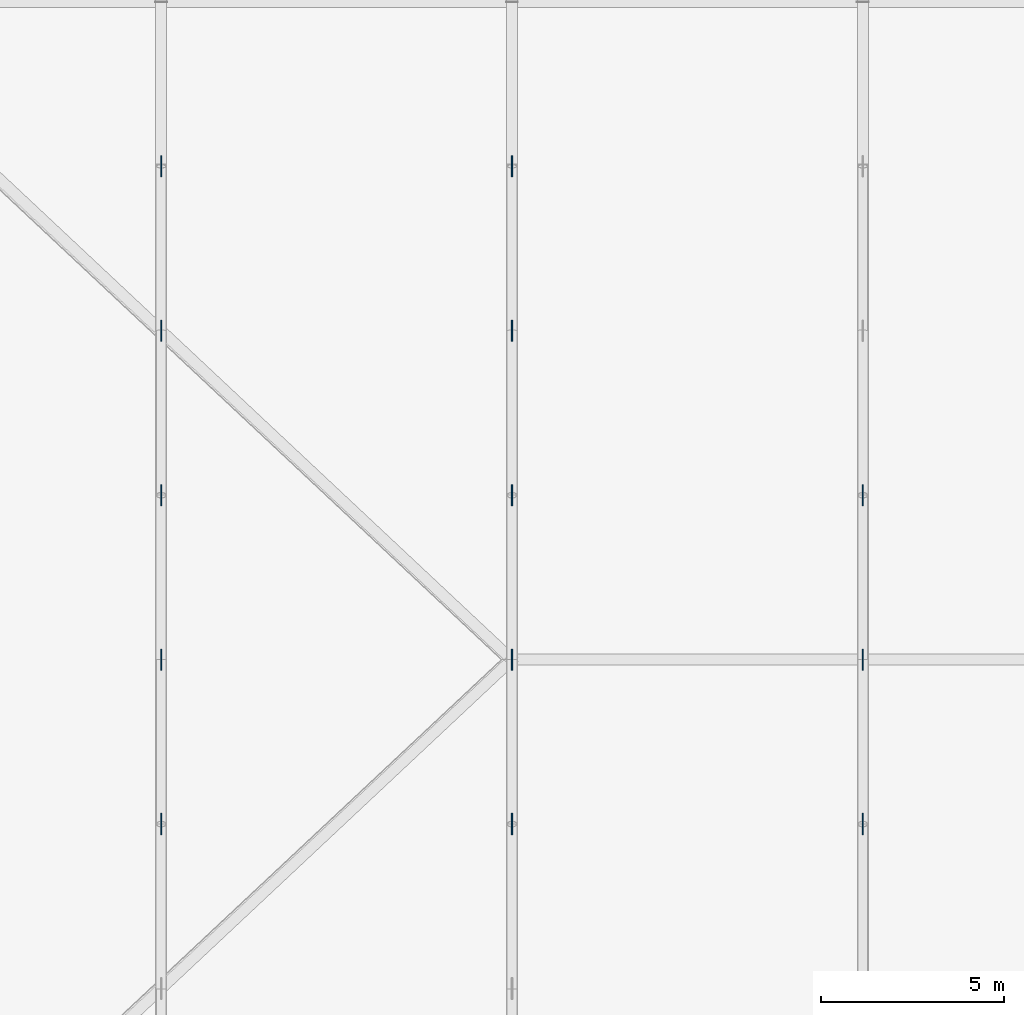
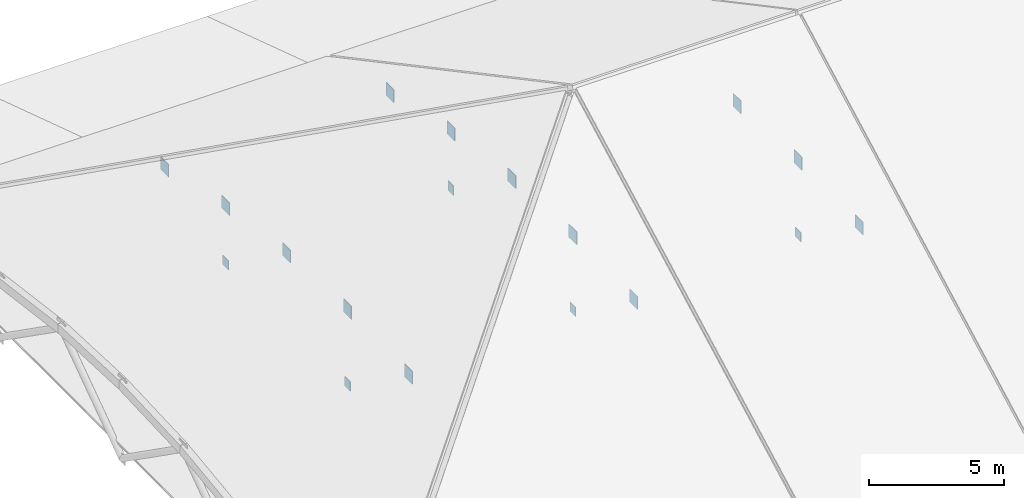
# One storey, part 10 of 16: 18 plates.
"""IFC4 building model written with IfcOpenShell, lengths in metres."""

from ifc_helpers import new_model, si_unit, direction, frame, origin, origin_2d, place, context, subcontext, project, spatial, rectangle, extrude, material, layer, layer_set, type_object, element, save


model = new_model("IFC4")

# Units and contexts
model_context = context("Model", 3, precision=1e-05, world=origin(), true_north=direction((0.0, 1.0)))
body_context = subcontext(model_context, "Body", "Model", "MODEL_VIEW")
ifc_project = project(units=[si_unit("LENGTHUNIT", "METRE"), si_unit("AREAUNIT", "SQUARE_METRE"), si_unit("VOLUMEUNIT", "CUBIC_METRE"), si_unit("PLANEANGLEUNIT", "RADIAN"), si_unit("MASSUNIT", "GRAM", prefix="KILO")], contexts=[model_context])

# Site, building, storey
site_placement = place(None, origin())
site = spatial("IfcSite", under=ifc_project, at=site_placement, CompositionType="ELEMENT")
building_placement = place(site_placement, origin())
building = spatial("IfcBuilding", under=site, at=building_placement, Name="Zarnetskaya Central Station", CompositionType="ELEMENT")
storey_placement = place(building_placement, frame((0.0, 0.0, 27.0)))
storey = spatial("IfcBuildingStorey", under=building, at=storey_placement, Name="RF", CompositionType="ELEMENT", Elevation=27.0)

# Plates
ifc_material = material(Name="Steel S355", Category="steel")
ifc_layer_1 = layer(ifc_material, 0.028076171875, Name="Steel S355", Category="steel")
ifc_layer_set_1 = layer_set([ifc_layer_1], Name="Steel S355")
plate_type_1 = type_object("IfcPlateType", Name="ND-GUSSET-28", PredefinedType="USERDEFINED", material=ifc_layer_set_1)
for number, where, z_axis, x_axis, name in (
    (1, (67.199951171875, 35.699951171875, -10.17041015625), (0.0, 0.0, 1.0), (1.0, 0.0, 0.0), "ROOF TRUSS RT-02 gusset node plate 3"),
    (2, (67.199951171875, 44.699951171875, -10.17041015625), (0.0, 0.0, 1.0), (1.0, 0.0, 0.0), "ROOF TRUSS RT-02 gusset node plate 5"),
    (3, (67.199951171875, 49.199951171875, -10.760009765625), (0.0, 0.0, 1.0), (1.0, 0.0, 0.0), "ROOF TRUSS RT-02 gusset node plate 6"),
    (4, (67.199951171875, 53.699951171875, -11.75830078125), (0.0, 0.0, 1.0), (1.0, 0.0, 0.0), "ROOF TRUSS RT-02 gusset node plate 7"),
    (5, (76.800048828125, 35.699951171875, -10.17041015625), (0.0, 0.0, 1.0), (1.0, 0.0, 0.0), "ROOF TRUSS RT-03 gusset node plate 3"),
    (6, (76.800048828125, 44.699951171875, -10.17041015625), (0.0, 0.0, 1.0), (1.0, 0.0, 0.0), "ROOF TRUSS RT-03 gusset node plate 5"),
    (7, (76.800048828125, 49.199951171875, -10.760009765625), (0.0, 0.0, 1.0), (1.0, 0.0, 0.0), "ROOF TRUSS RT-03 gusset node plate 6"),
    (8, (76.800048828125, 53.699951171875, -11.75830078125), (0.0, 0.0, 1.0), (1.0, 0.0, 0.0), "ROOF TRUSS RT-03 gusset node plate 7"),
    (9, (86.39990234375, 35.699951171875, -10.17041015625), (0.0, 0.0, 1.0), (1.0, 0.0, 0.0), "ROOF TRUSS RT-04 gusset node plate 3"),
    (10, (86.39990234375, 44.699951171875, -10.17041015625), (0.0, 0.0, 1.0), (1.0, 0.0, 0.0), "ROOF TRUSS RT-04 gusset node plate 5"),
):
    element("IfcPlate", number, at=place(storey_placement, frame(where, z_axis=z_axis, x_axis=x_axis)), inside=storey, type_object=plate_type_1, Name=name, ObjectType="GUSSET PLATE", PredefinedType="USERDEFINED", context=body_context, shape_type="SweptSolid", body=[
        extrude(rectangle(XDim=0.028076171875, YDim=0.580078125, at=origin_2d()), origin(), (0.0, 0.0, 1.0), 0.580078125),
    ])
for number, where, z_axis, x_axis, name in (
    (11, (67.199951171875, 40.199951171875, -13.260009765625), (0.0, 0.0, 1.0), (1.0, 0.0, 0.0), "Structural member end gusset plate 005"),
    (12, (67.199951171875, 49.199951171875, -13.260009765625), (0.0, 0.0, 1.0), (1.0, 0.0, 0.0), "Structural member end gusset plate 006"),
    (13, (76.800048828125, 40.199951171875, -13.260009765625), (0.0, 0.0, 1.0), (1.0, 0.0, 0.0), "Structural member end gusset plate 008"),
    (14, (76.800048828125, 49.199951171875, -13.260009765625), (0.0, 0.0, 1.0), (1.0, 0.0, 0.0), "Structural member end gusset plate 009"),
    (15, (86.39990234375, 40.199951171875, -13.260009765625), (0.0, 0.0, 1.0), (1.0, 0.0, 0.0), "Structural member end gusset plate 011"),
):
    element("IfcPlate", number, at=place(storey_placement, frame(where, z_axis=z_axis, x_axis=x_axis)), inside=storey, type_object=plate_type_1, Name=name, ObjectType="GUSSET PLATE", PredefinedType="USERDEFINED", context=body_context, shape_type="SweptSolid", body=[
        extrude(rectangle(XDim=0.028076171875, YDim=0.419921875, at=origin_2d()), origin(), (0.0, 0.0, 1.0), 0.419921875),
    ])
ifc_layer_2 = layer(ifc_material, 0.035888671875, Name="Steel S355", Category="steel")
ifc_layer_set_2 = layer_set([ifc_layer_2], Name="Steel S355")
plate_type_2 = type_object("IfcPlateType", Name="ND-GUSSET-36", PredefinedType="USERDEFINED", material=ifc_layer_set_2)
for number, where, z_axis, x_axis, name in (
    (16, (67.199951171875, 40.199951171875, -9.975341796875), (0.0, 0.0, 1.0), (1.0, 0.0, 0.0), "ROOF TRUSS RT-02 gusset node plate 4"),
    (17, (76.800048828125, 40.199951171875, -9.975341796875), (0.0, 0.0, 1.0), (1.0, 0.0, 0.0), "ROOF TRUSS RT-03 gusset node plate 4"),
    (18, (86.39990234375, 40.199951171875, -9.975341796875), (0.0, 0.0, 1.0), (1.0, 0.0, 0.0), "ROOF TRUSS RT-04 gusset node plate 4"),
):
    element("IfcPlate", number, at=place(storey_placement, frame(where, z_axis=z_axis, x_axis=x_axis)), inside=storey, type_object=plate_type_2, Name=name, ObjectType="GUSSET PLATE", PredefinedType="USERDEFINED", context=body_context, shape_type="SweptSolid", body=[
        extrude(rectangle(XDim=0.035888671875, YDim=0.580078125, at=origin_2d()), origin(), (0.0, 0.0, 1.0), 0.580078125),
    ])

save(model, "model.ifc")
